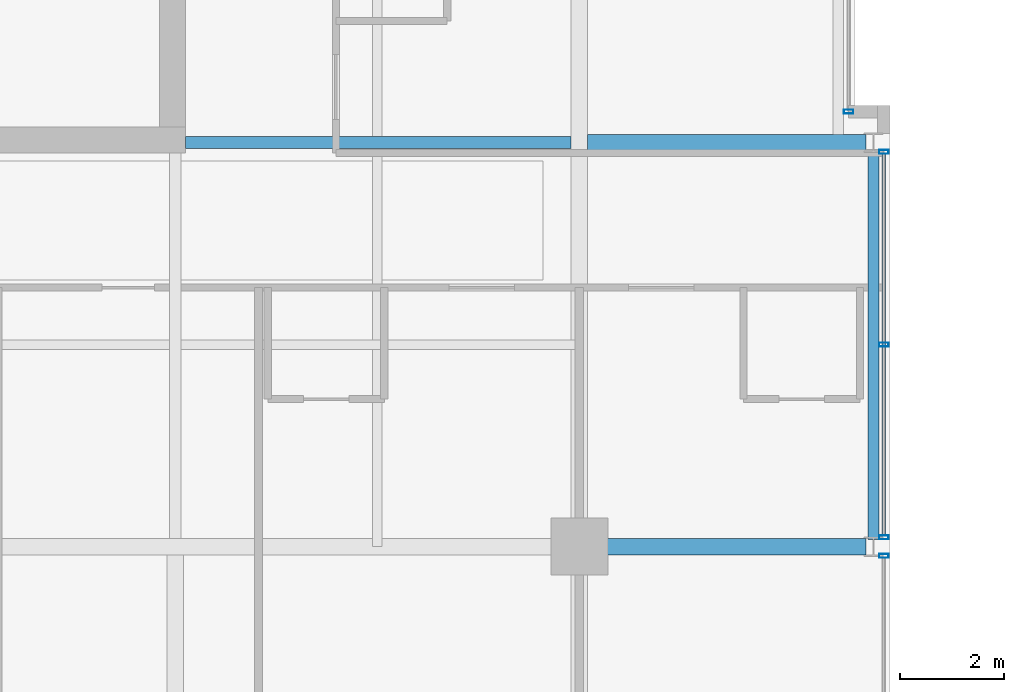
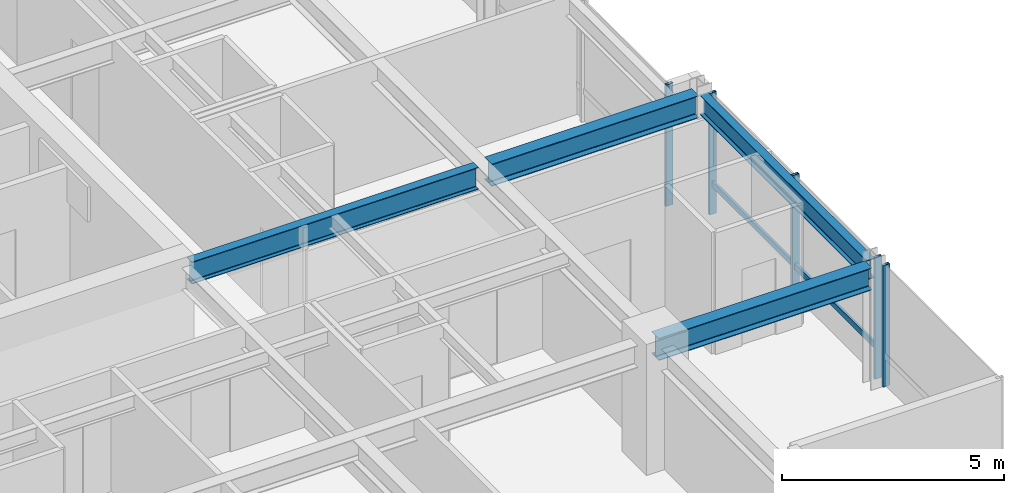
# One storey, part 14 of 33: 6 members, 4 beams, 3 elements without a shape of their own.
"""IFC4 building model written with IfcOpenShell, lengths in metres."""

from ifc_helpers import new_model, si_unit, direction, frame, origin, origin_2d, place, context, subcontext, project, spatial, hollow_rectangle, i_section, extrude, material, layer, layer_set, material_profile, profile_set, type_object, element, aggregate, save


model = new_model("IFC4")

# Units and contexts
model_context = context("Model", 3, precision=1e-05, world=origin(), true_north=direction((0.0, 1.0)))
body_context = subcontext(model_context, "Body", "Model", "MODEL_VIEW")
ifc_project = project(units=[si_unit("LENGTHUNIT", "METRE"), si_unit("AREAUNIT", "SQUARE_METRE"), si_unit("VOLUMEUNIT", "CUBIC_METRE"), si_unit("PLANEANGLEUNIT", "RADIAN"), si_unit("MASSUNIT", "GRAM", prefix="KILO")], contexts=[model_context])

# Site, building, storey
site_placement = place(None, origin())
site = spatial("IfcSite", under=ifc_project, at=site_placement, CompositionType="ELEMENT")
building_placement = place(site_placement, origin())
building = spatial("IfcBuilding", under=site, at=building_placement, Name="Drelvath Grand Hotel", CompositionType="ELEMENT")
storey_placement = place(building_placement, frame((0.0, 0.0, 248.300048828125)))
storey = spatial("IfcBuildingStorey", under=building, at=storey_placement, Name="L65", CompositionType="ELEMENT", Elevation=248.300048828125)

# Curtain wall, member
ifc_material_1 = material(Name="Platinum-Mist Anodised Aluminium Frame", Category="aluminium")
ifc_layer = layer(ifc_material_1, 0.199951171875)
ifc_layer_set = layer_set([ifc_layer], Name="Platinum-Mist Anodised Aluminium Frame")
curtain_wall_type = type_object("IfcCurtainWallType", Name="Stick Curtain Wall CW-05 Platinum Mist High-Rise", PredefinedType="NOTDEFINED", material=ifc_layer_set)
curtain_wall_1_placement = place(storey_placement, origin())
curtain_wall_1 = element("IfcCurtainWall", 1, at=curtain_wall_1_placement, inside=storey, type_object=curtain_wall_type, Name="L65 CW-05 Curtain Wall CW05-L65-ES2", PredefinedType="NOTDEFINED")
ifc_material_profile_1 = material_profile(ifc_material_1, hollow_rectangle(XDim=0.06494140625, YDim=0.159912109375, WallThickness=0.00390625, at=origin_2d()), Name="HSS160X65X4")
ifc_profile_set_1 = profile_set([ifc_material_profile_1], Name="Platinum-Mist Anodised Aluminium Frame")
member_type_1 = type_object("IfcMemberType", Name="Curtain Wall Horizontal Transom CW-05 HSS160X65X4", PredefinedType="USERDEFINED", material=ifc_profile_set_1)
member_1_placement = place(storey_placement, frame((22.080078125, 18.3818359375, 0.8349609375), z_axis=(0.0, -1.0, 0.0), x_axis=(1.0, 0.0, 0.0)))
member_1 = element("IfcMember", 2, at=member_1_placement, type_object=member_type_1, Name="CW05-L65-ES2 Sill Transom", ObjectType="TRANSOM", PredefinedType="USERDEFINED", context=body_context, shape_type="SweptSolid", body=[
    extrude(hollow_rectangle(XDim=0.06494140625, YDim=0.159912109375, WallThickness=0.00390625, at=origin_2d()), origin(), (0.0, 0.0, 1.0), 7.363525390625),
])

curtain_wall_2_placement = place(storey_placement, origin())
curtain_wall_2 = element("IfcCurtainWall", 3, at=curtain_wall_2_placement, inside=storey, type_object=curtain_wall_type, Name="L65 CW-05 Curtain Wall CW05-L65-EM1", PredefinedType="NOTDEFINED")
ifc_material_profile_2 = material_profile(ifc_material_1, hollow_rectangle(XDim=0.074951171875, YDim=0.179931640625, WallThickness=0.0048828125, at=origin_2d()), Name="HSS180X75X5")
ifc_profile_set_2 = profile_set([ifc_material_profile_2], Name="Platinum-Mist Anodised Aluminium Frame")
member_type_2 = type_object("IfcMemberType", Name="Curtain Wall Vertical Mullion CW-05 HSS180X75X5", PredefinedType="MULLION", material=ifc_profile_set_2)
member_2_placement = place(storey_placement, frame((21.39990234375, 19.199951171875, 0.0), z_axis=(0.0, 0.0, 1.0), x_axis=(0.0, 1.0, 0.0)))
member_2 = element("IfcMember", 4, at=member_2_placement, type_object=member_type_2, Name="CW05-L65-EM1 Mullion 3", PredefinedType="MULLION", context=body_context, shape_type="SweptSolid", body=[
    extrude(hollow_rectangle(XDim=0.074951171875, YDim=0.179931640625, WallThickness=0.0048828125, at=origin_2d()), origin(), (0.0, 0.0, 1.0), 3.33984375),
])
aggregate(curtain_wall_2, [member_2])

curtain_wall_3_placement = place(storey_placement, origin())
curtain_wall_3 = element("IfcCurtainWall", 5, at=curtain_wall_3_placement, inside=storey, type_object=curtain_wall_type, Name="L65 CW-05 Curtain Wall CW05-L65-ES1", PredefinedType="NOTDEFINED")
member_3_placement = place(storey_placement, frame((22.080078125, 10.621826171875, 0.0), z_axis=(0.0, 0.0, 1.0), x_axis=(0.0, 1.0, 0.0)))
member_3 = element("IfcMember", 6, at=member_3_placement, type_object=member_type_2, Name="CW05-L65-ES1 Mullion 1", PredefinedType="MULLION", context=body_context, shape_type="SweptSolid", body=[
    extrude(hollow_rectangle(XDim=0.074951171875, YDim=0.179931640625, WallThickness=0.0048828125, at=origin_2d()), origin(), (0.0, 0.0, 1.0), 3.33984375),
])
aggregate(curtain_wall_3, [member_3])

# Member
member_4_placement = place(storey_placement, frame((22.080078125, 18.421875, 0.0), z_axis=(0.0, 0.0, 1.0), x_axis=(0.0, 1.0, 0.0)))
member_4 = element("IfcMember", 7, at=member_4_placement, type_object=member_type_2, Name="CW05-L65-ES2 Mullion 1", PredefinedType="MULLION", context=body_context, shape_type="SweptSolid", body=[
    extrude(hollow_rectangle(XDim=0.074951171875, YDim=0.179931640625, WallThickness=0.0048828125, at=origin_2d()), origin(), (0.0, 0.0, 1.0), 3.33984375),
])

member_5_placement = place(storey_placement, frame((22.080078125, 14.699951171875, 0.0), z_axis=(0.0, 0.0, 1.0), x_axis=(0.0, 1.0, 0.0)))
member_5 = element("IfcMember", 8, at=member_5_placement, type_object=member_type_2, Name="CW05-L65-ES2 Mullion 2", PredefinedType="MULLION", context=body_context, shape_type="SweptSolid", body=[
    extrude(hollow_rectangle(XDim=0.074951171875, YDim=0.179931640625, WallThickness=0.0048828125, at=origin_2d()), origin(), (0.0, 0.0, 1.0), 3.33984375),
])

member_6_placement = place(storey_placement, frame((22.080078125, 10.978271484375, 0.0), z_axis=(0.0, 0.0, 1.0), x_axis=(0.0, 1.0, 0.0)))
member_6 = element("IfcMember", 9, at=member_6_placement, type_object=member_type_2, Name="CW05-L65-ES2 Mullion 3", PredefinedType="MULLION", context=body_context, shape_type="SweptSolid", body=[
    extrude(hollow_rectangle(XDim=0.074951171875, YDim=0.179931640625, WallThickness=0.0048828125, at=origin_2d()), origin(), (0.0, 0.0, 1.0), 3.33984375),
])

aggregate(curtain_wall_1, [member_4, member_5, member_6, member_1])

# Beams
ifc_material_2 = material(Name="Steel ASTM A992 Gr 50", Category="steel")
ifc_material_profile_3 = material_profile(ifc_material_2, i_section(OverallWidth=0.210205078125, OverallDepth=0.53662109375, WebThickness=0.010986328125, FlangeThickness=0.017333984375, FilletRadius=0.01806640625, at=origin_2d()), Name="W21X68")
ifc_profile_set_3 = profile_set([ifc_material_profile_3], Name="Steel ASTM A992 Gr 50")
beam_type_1 = type_object("IfcBeamType", Name="Perimeter Spandrel Beam W21X68", PredefinedType="SPANDREL", material=ifc_profile_set_3)
beam_1_placement = place(storey_placement, frame((21.8798828125, 10.93994140625, 3.071533203125), z_axis=(0.0, 1.0, 0.0), x_axis=(-1.0, 0.0, 0.0)))
element("IfcBeam", 10, at=beam_1_placement, inside=storey, type_object=beam_type_1, Name="L65 Spandrel East S", PredefinedType="SPANDREL", context=body_context, shape_type="SweptSolid", body=[
    extrude(i_section(OverallWidth=0.210205078125, OverallDepth=0.53662109375, WebThickness=0.010986328125, FlangeThickness=0.017333984375, FilletRadius=0.01806640625, at=origin_2d()), origin(), (0.0, 0.0, 1.0), 7.52001953125),
])
ifc_material_profile_4 = material_profile(ifc_material_2, i_section(OverallWidth=0.323974609375, OverallDepth=0.611083984375, WebThickness=0.0126953125, FlangeThickness=0.01904296875, FilletRadius=0.02197265625, at=origin_2d()), Name="W24X104")
ifc_profile_set_4 = profile_set([ifc_material_profile_4], Name="Steel ASTM A992 Gr 50")
beam_type_2 = type_object("IfcBeamType", Name="Primary Floor Girder W24X104", PredefinedType="BEAM", material=ifc_profile_set_4)
beam_2_placement = place(storey_placement, frame((16.199951171875, 10.800048828125, 3.034423828125), z_axis=(1.0, 0.0, 0.0), x_axis=(0.0, 1.0, 0.0)))
element("IfcBeam", 11, at=beam_2_placement, inside=storey, type_object=beam_type_2, Name="L65 East Grid Girder C", PredefinedType="BEAM", context=body_context, shape_type="SweptSolid", body=[
    extrude(i_section(OverallWidth=0.323974609375, OverallDepth=0.611083984375, WebThickness=0.0126953125, FlangeThickness=0.01904296875, FilletRadius=0.02197265625, at=origin_2d()), origin(), (0.0, 0.0, 1.0), 5.5400390625),
])
beam_3_placement = place(storey_placement, frame((16.362060546875, 18.60009765625, 3.034423828125), z_axis=(1.0, 0.0, 0.0), x_axis=(0.0, 1.0, 0.0)))
element("IfcBeam", 12, at=beam_3_placement, inside=storey, type_object=beam_type_2, Name="L65 East Wing Girder D", PredefinedType="BEAM", context=body_context, shape_type="SweptSolid", body=[
    extrude(i_section(OverallWidth=0.323974609375, OverallDepth=0.611083984375, WebThickness=0.0126953125, FlangeThickness=0.01904296875, FilletRadius=0.02197265625, at=origin_2d()), origin(), (0.0, 0.0, 1.0), 5.3779296875),
])
ifc_material_profile_5 = material_profile(ifc_material_2, i_section(OverallWidth=0.228271484375, OverallDepth=0.607666015625, WebThickness=0.01123046875, FlangeThickness=0.017333984375, FilletRadius=0.02001953125, at=origin_2d()), Name="W24X76")
ifc_profile_set_5 = profile_set([ifc_material_profile_5], Name="Steel ASTM A992 Gr 50")
beam_type_3 = type_object("IfcBeamType", Name="Primary Floor Girder W24X76", PredefinedType="BEAM", material=ifc_profile_set_5)
beam_4_placement = place(storey_placement, frame((8.60009765625, 18.60009765625, 3.0361328125), z_axis=(1.0, 0.0, 0.0), x_axis=(0.0, 1.0, 0.0)))
element("IfcBeam", 13, at=beam_4_placement, inside=storey, type_object=beam_type_3, Name="L65 East Core Tie D", PredefinedType="BEAM", context=body_context, shape_type="SweptSolid", body=[
    extrude(i_section(OverallWidth=0.228271484375, OverallDepth=0.607666015625, WebThickness=0.01123046875, FlangeThickness=0.017333984375, FilletRadius=0.02001953125, at=origin_2d()), origin(), (0.0, 0.0, 1.0), 7.43798828125),
])

save(model, "model.ifc")
